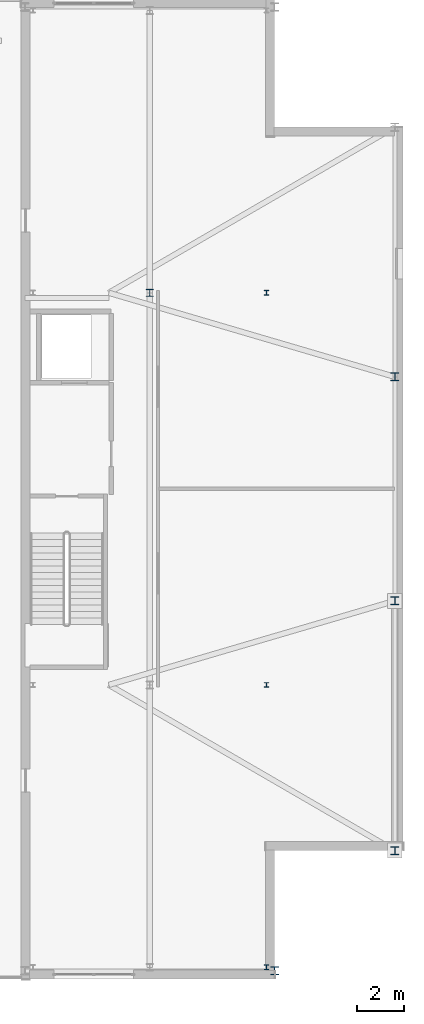
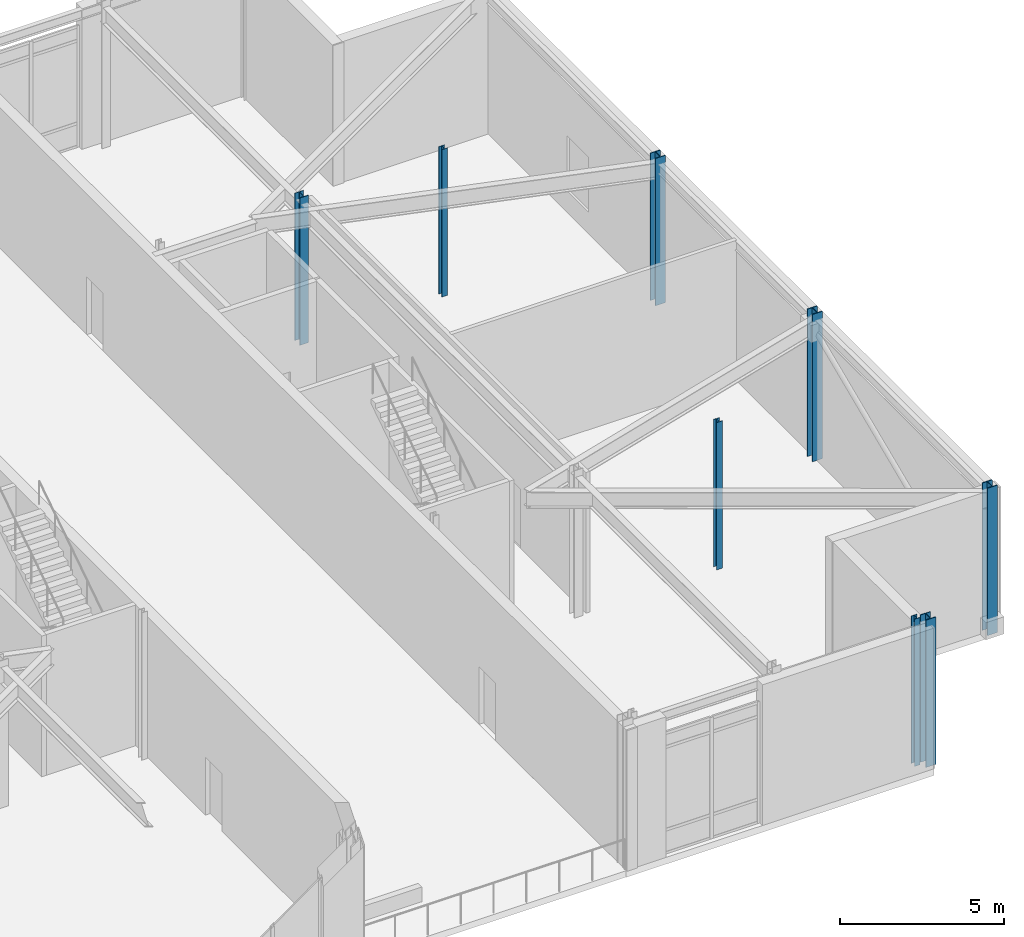
# One storey, part 4 of 16: 8 columns.
"""IFC4 building model written with IfcOpenShell, lengths in metres."""

from ifc_helpers import new_model, si_unit, direction, frame, origin, origin_2d, place, context, subcontext, project, spatial, i_section, extrude, material, material_profile, profile_set, type_object, element, save


model = new_model("IFC4")

# Units and contexts
model_context = context("Model", 3, precision=1e-05, world=origin(), true_north=direction((0.0, 1.0)))
body_context = subcontext(model_context, "Body", "Model", "MODEL_VIEW")
ifc_project = project(units=[si_unit("LENGTHUNIT", "METRE"), si_unit("AREAUNIT", "SQUARE_METRE"), si_unit("VOLUMEUNIT", "CUBIC_METRE"), si_unit("PLANEANGLEUNIT", "RADIAN"), si_unit("MASSUNIT", "GRAM", prefix="KILO")], contexts=[model_context])

# Site, building, storey
site_placement = place(None, origin())
site = spatial("IfcSite", under=ifc_project, at=site_placement, CompositionType="ELEMENT")
building_placement = place(site_placement, origin())
building = spatial("IfcBuilding", under=site, at=building_placement, Name="Cairnveth Concourse Tower", CompositionType="ELEMENT")
storey_placement = place(building_placement, frame((0.0, 0.0, 324.5)))
storey = spatial("IfcBuildingStorey", under=building, at=storey_placement, Name="L89", CompositionType="ELEMENT", Elevation=324.5)

# Columns
ifc_material = material(Name="Steel Grade 350", Category="steel")
ifc_material_profile_1 = material_profile(ifc_material, i_section(OverallWidth=0.202880859375, OverallDepth=0.202880859375, WebThickness=0.00927734375, FlangeThickness=0.01416015625, FilletRadius=0.010009765625, at=origin_2d()), Name="200UC59.5")
ifc_profile_set_1 = profile_set([ifc_material_profile_1], Name="Steel Grade 350")
column_type_1 = type_object("IfcColumnType", Name="PILASTER STEEL COLUMN 200UC59.5", PredefinedType="PILASTER", material=ifc_profile_set_1)
for number, where, z_axis, x_axis, name in (
    (1, (67.14990234375, 18.5, 0.0), (0.0, 0.0, 1.0), (1.0, 0.0, 0.0), "Column CRR-E1 L89"),
    (2, (67.14990234375, 30.60009765625, 0.0), (0.0, 0.0, 1.0), (1.0, 0.0, 0.0), "Column CRR-E2 L89"),
    (3, (67.14990234375, 47.39990234375, 0.0), (0.0, 0.0, 1.0), (1.0, 0.0, 0.0), "Column CRR-E3 L89"),
):
    element("IfcColumn", number, at=place(storey_placement, frame(where, z_axis=z_axis, x_axis=x_axis)), inside=storey, type_object=column_type_1, Name=name, PredefinedType="PILASTER", context=body_context, shape_type="SweptSolid", body=[
        extrude(i_section(OverallWidth=0.202880859375, OverallDepth=0.202880859375, WebThickness=0.00927734375, FlangeThickness=0.01416015625, FilletRadius=0.010009765625, at=origin_2d()), origin(), (0.0, 0.0, 1.0), 5.5),
    ])
ifc_material_profile_2 = material_profile(ifc_material, i_section(OverallWidth=0.306884765625, OverallDepth=0.31494140625, WebThickness=0.011962890625, FlangeThickness=0.018798828125, FilletRadius=0.01611328125, at=origin_2d()), Name="310UC118")
ifc_profile_set_2 = profile_set([ifc_material_profile_2], Name="Steel Grade 350")
column_type_2 = type_object("IfcColumnType", Name="UNIVERSAL STEEL COLUMN 310UC118", PredefinedType="COLUMN", material=ifc_profile_set_2)
column_placement = place(storey_placement, frame((62.14990234375, 47.39990234375, 0.0), z_axis=(0.0, 0.0, 1.0), x_axis=(1.0, 0.0, 0.0)))
element("IfcColumn", 4, at=column_placement, inside=storey, type_object=column_type_2, Name="Column CRM-E3 L89", PredefinedType="COLUMN", context=body_context, shape_type="SweptSolid", body=[
    extrude(i_section(OverallWidth=0.306884765625, OverallDepth=0.31494140625, WebThickness=0.011962890625, FlangeThickness=0.018798828125, FilletRadius=0.01611328125, at=origin_2d()), origin(), (0.0, 0.0, 1.0), 5.5),
])
ifc_material_profile_3 = material_profile(ifc_material, i_section(OverallWidth=0.35009765625, OverallDepth=0.35009765625, WebThickness=0.02001953125, FlangeThickness=0.028076171875, at=origin_2d()), Name="350WC197")
ifc_profile_set_3 = profile_set([ifc_material_profile_3], Name="Steel Grade 350")
column_type_3 = type_object("IfcColumnType", Name="WELDED STEEL COLUMN 350WC197", PredefinedType="COLUMN", material=ifc_profile_set_3)
for number, where, z_axis, x_axis, name in (
    (5, (67.5, 18.35009765625, 0.0), (0.0, 0.0, 1.0), (1.0, 0.0, 0.0), "Column CR-S4 L89"),
    (6, (72.64990234375, 23.5, 0.0), (0.0, 0.0, 1.0), (1.0, 0.0, 0.0), "Column CR-E1 L89"),
    (7, (72.64990234375, 34.199951171875, 0.0), (0.0, 0.0, 1.0), (1.0, 0.0, 0.0), "Column CR-E2 L89"),
    (8, (72.64990234375, 43.800048828125, 0.0), (0.0, 0.0, 1.0), (1.0, 0.0, 0.0), "Column CR-E3 L89"),
):
    element("IfcColumn", number, at=place(storey_placement, frame(where, z_axis=z_axis, x_axis=x_axis)), inside=storey, type_object=column_type_3, Name=name, PredefinedType="COLUMN", context=body_context, shape_type="SweptSolid", body=[
        extrude(i_section(OverallWidth=0.35009765625, OverallDepth=0.35009765625, WebThickness=0.02001953125, FlangeThickness=0.028076171875, at=origin_2d()), origin(), (0.0, 0.0, 1.0), 5.5),
    ])

save(model, "model.ifc")
